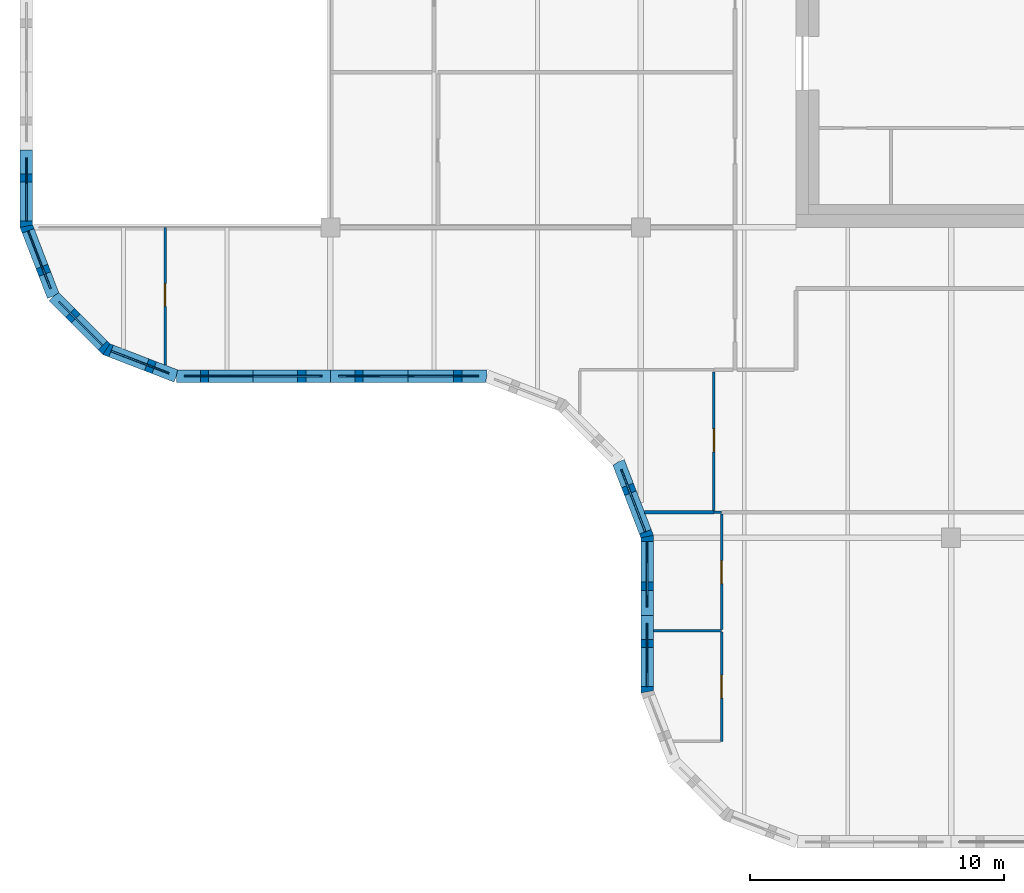
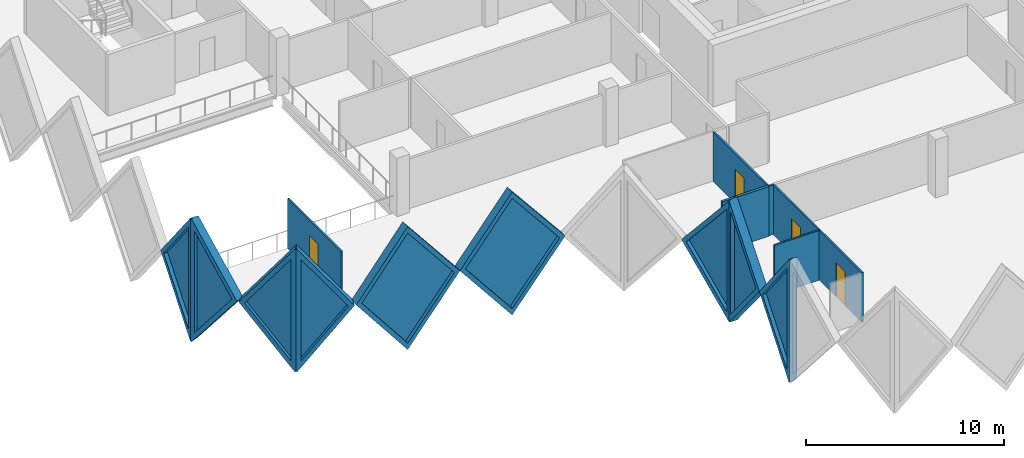
# One storey, part 3 of 12: 16 walls, 9 plates, 4 doors, 13 openings.
"""IFC4 building model written with IfcOpenShell, lengths in metres."""

from ifc_helpers import new_model, si_unit, direction, frame, frame_2d, origin, place, context, subcontext, project, spatial, polyline, rectangle, outline, extrude, faceted_brep, source, transform, mapped, material, layer, layer_set, type_object, element, fill, save


model = new_model("IFC4")

# Units and contexts
model_context = context("Model", 3, precision=1e-05, world=origin(), true_north=direction((0.0, 1.0)))
body_context = subcontext(model_context, "Body", "Model", "MODEL_VIEW")
ifc_project = project(units=[si_unit("LENGTHUNIT", "METRE"), si_unit("AREAUNIT", "SQUARE_METRE"), si_unit("VOLUMEUNIT", "CUBIC_METRE"), si_unit("PLANEANGLEUNIT", "RADIAN"), si_unit("MASSUNIT", "GRAM", prefix="KILO")], contexts=[model_context])

# Site, building, storey
site_placement = place(None, origin())
site = spatial("IfcSite", under=ifc_project, at=site_placement, CompositionType="ELEMENT")
building_placement = place(site_placement, origin())
building = spatial("IfcBuilding", under=site, at=building_placement, Name="Tessera Gate Towers", CompositionType="ELEMENT")
storey_placement = place(building_placement, frame((0.0, 0.0, 209.300048828125)))
storey = spatial("IfcBuildingStorey", under=building, at=storey_placement, Name="L52", CompositionType="ELEMENT", Elevation=209.300048828125)

# Wall, opening, door
ifc_material_1 = material(Name="Glass", Category="glass")
ifc_layer_1 = layer(ifc_material_1, 0.10009765625)
ifc_layer_set_1 = layer_set([ifc_layer_1], Name="GLAZED PARTITION 100")
wall_type_1 = type_object("IfcWallType", Name="GLAZED PARTITION 100", PredefinedType="PARTITIONING", material=ifc_layer_set_1)
wall_1_placement = place(storey_placement, frame((27.574951171875, 4.199951171875, 0.0), z_axis=(0.0, 0.0, 1.0), x_axis=(0.0, 1.0, 0.0)))
wall_1 = element("IfcWall", 1, at=wall_1_placement, inside=storey, type_object=wall_type_1, Name="T1-L52-PW-004", PredefinedType="PARTITIONING", context=body_context, shape_type="SweptSolid", body=[
    extrude(rectangle(XDim=4.296875, YDim=0.10009765625, at=frame_2d((2.1484375, 0.0))), origin(), (0.0, 0.0, 1.0), 3.06689453125),
])
shared_shape_1 = source(origin(), body_context, "Body", "SweptSolid", [
    extrude(rectangle(XDim=0.89990234375, YDim=2.10009765625, at=frame_2d((0.449951171875, 1.050048828125))), frame((0.0, 0.06005859375, 0.0), z_axis=(0.0, -1.0, 0.0), x_axis=(1.0, 0.0, 0.0)), (0.0, 0.0, 1.0), 0.1201171875),
])
opening_1_placement = place(wall_1_placement, frame((1.699951171875, 0.0, 0.0)))
opening_1 = element("IfcOpeningElement", 2, at=opening_1_placement, cuts=wall_1, Name="Opening D690-A19-05", PredefinedType="OPENING", context=body_context, shape_type="MappedRepresentation", body=[
    mapped(shared_shape_1, transform((0.0, 0.0, 0.0), scale=1.0)),
])
ifc_material_2 = material(Name="Glass in aluminium frame", Category="aluminium")
door_type = type_object("IfcDoorType", Name="GLAZED DOOR 900 NOT RATED", OperationType="NOTDEFINED", PredefinedType="DOOR", material=ifc_material_2)
shared_shape_2 = source(origin(), body_context, "Body", "SweptSolid", [
    extrude(rectangle(XDim=0.89990234375, YDim=2.10009765625, at=frame_2d((0.449951171875, 1.050048828125))), frame((0.0, 0.02490234375, 0.0), z_axis=(0.0, -1.0, 0.0), x_axis=(1.0, 0.0, 0.0)), (0.0, 0.0, 1.0), 0.050048828125),
])
door_1_placement = place(opening_1_placement, origin())
door_1 = element("IfcDoor", 3, at=door_1_placement, inside=storey, type_object=door_type, Name="T1-L52-PD-015", OperationType="SINGLE_SWING_LEFT", OverallHeight=2.10009765625, OverallWidth=0.89990234375, PredefinedType="DOOR", context=body_context, shape_type="MappedRepresentation", body=[
    mapped(shared_shape_2, transform((0.0, 0.0, 0.0), scale=1.0)),
])
fill(opening_1, door_1)

wall_2_placement = place(storey_placement, frame((27.574951171875, 8.598876953125, 0.0), z_axis=(0.0, 0.0, 1.0), x_axis=(0.0, 1.0, 0.0)))
wall_2 = element("IfcWall", 4, at=wall_2_placement, inside=storey, type_object=wall_type_1, Name="T1-L52-PW-009", PredefinedType="PARTITIONING", context=body_context, shape_type="SweptSolid", body=[
    extrude(rectangle(XDim=4.525146484375, YDim=0.10009765625, at=frame_2d((2.2626953125, 0.0))), origin(), (0.0, 0.0, 1.0), 3.06689453125),
])
opening_2_placement = place(wall_2_placement, frame((1.800048828125, 0.0, 0.0)))
opening_2 = element("IfcOpeningElement", 5, at=opening_2_placement, cuts=wall_2, Name="Opening D690-A19-01", PredefinedType="OPENING", context=body_context, shape_type="MappedRepresentation", body=[
    mapped(shared_shape_1, transform((0.0, 0.0, 0.0), scale=1.0)),
])
door_2_placement = place(opening_2_placement, origin())
door_2 = element("IfcDoor", 6, at=door_2_placement, inside=storey, type_object=door_type, Name="T1-L52-PD-003", OperationType="SINGLE_SWING_LEFT", OverallHeight=2.10009765625, OverallWidth=0.89990234375, PredefinedType="DOOR", context=body_context, shape_type="MappedRepresentation", body=[
    mapped(shared_shape_2, transform((0.0, 0.0, 0.0), scale=1.0)),
])
fill(opening_2, door_2)

# Wall
wall_3_placement = place(storey_placement, frame((27.27587890625, 13.199951171875, 0.0), z_axis=(0.0, 0.0, 1.0), x_axis=(1.0, 0.0, 0.0)))
element("IfcWall", 7, at=wall_3_placement, inside=storey, type_object=wall_type_1, Name="T1-L52-PW-014", PredefinedType="PARTITIONING", context=body_context, shape_type="SweptSolid", body=[
    extrude(rectangle(XDim=0.298095703125, YDim=0.10009765625, at=frame_2d((0.14892578125, 0.0))), origin(), (0.0, 0.0, 1.0), 3.06689453125),
])

# Wall, opening, door
wall_4_placement = place(storey_placement, frame((27.27490234375, 13.27587890625, 0.0), z_axis=(0.0, 0.0, 1.0), x_axis=(0.0, 1.0, 0.0)))
wall_4 = element("IfcWall", 8, at=wall_4_placement, inside=storey, type_object=wall_type_1, Name="T1-L52-PW-016", PredefinedType="PARTITIONING", context=body_context, shape_type="SweptSolid", body=[
    extrude(rectangle(XDim=5.4482421875, YDim=0.10009765625, at=frame_2d((2.72412109375, 0.0))), origin(), (0.0, 0.0, 1.0), 3.06689453125),
])
opening_3_placement = place(wall_4_placement, frame((2.300048828125, 0.0, 0.0)))
opening_3 = element("IfcOpeningElement", 9, at=opening_3_placement, cuts=wall_4, Name="Opening D690-A19-04", PredefinedType="OPENING", context=body_context, shape_type="MappedRepresentation", body=[
    mapped(shared_shape_1, transform((0.0, 0.0, 0.0), scale=1.0)),
])
door_3_placement = place(opening_3_placement, origin())
door_3 = element("IfcDoor", 10, at=door_3_placement, inside=storey, type_object=door_type, Name="T1-L52-PD-010", OperationType="SINGLE_SWING_LEFT", OverallHeight=2.10009765625, OverallWidth=0.89990234375, PredefinedType="DOOR", context=body_context, shape_type="MappedRepresentation", body=[
    mapped(shared_shape_2, transform((0.0, 0.0, 0.0), scale=1.0)),
])
fill(opening_3, door_3)

wall_5_placement = place(storey_placement, frame((5.699951171875, 18.990234375, 0.0), z_axis=(0.0, 0.0, 1.0), x_axis=(0.0, 1.0, 0.0)))
wall_5 = element("IfcWall", 11, at=wall_5_placement, inside=storey, type_object=wall_type_1, Name="T1-L52-PW-027", PredefinedType="PARTITIONING", context=body_context, shape_type="SweptSolid", body=[
    extrude(rectangle(XDim=5.40966796875, YDim=0.10009765625, at=frame_2d((2.704833984375, 0.0))), origin(), (0.0, 0.0, 1.0), 3.06689453125),
])
opening_4_placement = place(wall_5_placement, frame((2.300048828125, 0.0, 0.0)))
opening_4 = element("IfcOpeningElement", 12, at=opening_4_placement, cuts=wall_5, Name="Opening D690-A19-03", PredefinedType="OPENING", context=body_context, shape_type="MappedRepresentation", body=[
    mapped(shared_shape_1, transform((0.0, 0.0, 0.0), scale=1.0)),
])
door_4_placement = place(opening_4_placement, origin())
door_4 = element("IfcDoor", 13, at=door_4_placement, inside=storey, type_object=door_type, Name="T1-L52-PD-009", OperationType="SINGLE_SWING_LEFT", OverallHeight=2.10009765625, OverallWidth=0.89990234375, PredefinedType="DOOR", context=body_context, shape_type="MappedRepresentation", body=[
    mapped(shared_shape_2, transform((0.0, 0.0, 0.0), scale=1.0)),
])
fill(opening_4, door_4)

# Walls
ifc_material_3 = material(Name="Gypsum board on steel studs", Category="steel")
ifc_layer_2 = layer(ifc_material_3, 0.10009765625)
ifc_layer_set_2 = layer_set([ifc_layer_2], Name="PARTITION 100")
wall_type_2 = type_object("IfcWallType", Name="PARTITION 100", PredefinedType="PARTITIONING", material=ifc_layer_set_2)
wall_6_placement = place(storey_placement, frame((24.89990234375, 8.548095703125, 0.0), z_axis=(0.0, 0.0, 1.0), x_axis=(1.0, 0.0, 0.0)))
element("IfcWall", 14, at=wall_6_placement, inside=storey, type_object=wall_type_2, Name="T1-L52-PW-008", PredefinedType="PARTITIONING", context=body_context, shape_type="SweptSolid", body=[
    extrude(rectangle(XDim=2.675048828125, YDim=0.10009765625, at=frame_2d((1.33740234375, 0.0))), origin(), (0.0, 0.0, 1.0), 3.06689453125),
])
ifc_material_4 = material(Name="Gypsum board on steel studs, mineral wool", Category="steel")
ifc_layer_3 = layer(ifc_material_4, 0.14990234375)
ifc_layer_set_3 = layer_set([ifc_layer_3], Name="TENANCY WALL 150")
wall_type_3 = type_object("IfcWallType", Name="TENANCY WALL 150", PredefinedType="PARTITIONING", material=ifc_layer_set_3)
wall_7_placement = place(storey_placement, frame((24.55029296875, 13.199951171875, 0.0), z_axis=(0.0, 0.0, 1.0), x_axis=(1.0, 0.0, 0.0)))
element("IfcWall", 15, at=wall_7_placement, inside=storey, type_object=wall_type_3, Name="T1-L52-PW-013", PredefinedType="PARTITIONING", context=body_context, shape_type="SweptSolid", body=[
    extrude(rectangle(XDim=2.724609375, YDim=0.14990234375, at=frame_2d((1.3623046875, 0.0))), origin(), (0.0, 0.0, 1.0), 3.06689453125),
])

# Wall, opening, plate
ifc_material_5 = material(Name="Precast concrete C60/75 white", Category="concrete")
ifc_layer_4 = layer(ifc_material_5, 0.5)
ifc_layer_set_4 = layer_set([ifc_layer_4], Name="TS1 tessera")
wall_type_4 = type_object("IfcWallType", Name="TS1 tessera", PredefinedType="SOLIDWALL", material=ifc_layer_set_4)
shared_shape_3 = source(origin(), body_context, "Body", "Brep", [
    faceted_brep([(3.00341796875, -0.25, 0.0), (6.053466796875, -0.25, 3.800048828125), (3.00341796875, -0.25, 7.60009765625), (0.0, -0.25, 3.800048828125), (0.046630859375, 0.25, 3.85888671875), (3.00341796875, 0.25, 7.60009765625), (6.053466796875, 0.25, 3.800048828125), (3.00341796875, 0.25, 0.0), (0.046630859375, 0.25, 3.7412109375), (0.0, 0.0, 3.800048828125)], [[[0, 1, 2, 3]], [[4, 5, 6, 7, 8]], [[7, 6, 1, 0]], [[6, 5, 2, 1]], [[5, 4, 9, 3, 2]], [[8, 7, 0, 3, 9]], [[8, 9, 4]]]),
])
wall_8_placement = place(storey_placement, frame((6.146484375, 18.550048828125, -3.800048828125), z_axis=(0.0, 0.0, 1.0), x_axis=(1.0, 0.0, 0.0)))
wall_8 = element("IfcWall", 16, at=wall_8_placement, inside=storey, type_object=wall_type_4, Name="Precast tessera T1 TS1-0918", PredefinedType="SOLIDWALL", context=body_context, shape_type="MappedRepresentation", body=[
    mapped(shared_shape_3, transform((0.0, 0.0, 0.0), scale=1.0)),
])
shared_shape_4 = source(origin(), body_context, "Body", "SweptSolid", [
    extrude(outline(polyline([(3.0048828125, 0.4013671875), (5.73291015625, 3.800048828125), (3.0048828125, 7.19873046875), (0.318603515625, 3.800048828125), (3.0048828125, 0.4013671875)])), frame((0.0, 0.260009765625, 0.0), z_axis=(0.0, -1.0, 0.0), x_axis=(1.0, 0.0, 0.0)), (0.0, 0.0, 1.0), 0.52001953125),
])
opening_5_placement = place(wall_8_placement, origin())
opening_5 = element("IfcOpeningElement", 17, at=opening_5_placement, cuts=wall_8, Name="Opening T1-PL2-1870", PredefinedType="OPENING", context=body_context, shape_type="MappedRepresentation", body=[
    mapped(shared_shape_4, transform((0.0, 0.0, 0.0), scale=1.0)),
])
ifc_material_6 = material(Name="Low-e laminated glass", Category="glass")
ifc_layer_5 = layer(ifc_material_6, 0.06005859375)
ifc_layer_set_5 = layer_set([ifc_layer_5], Name="PL2 rhombic pane")
plate_type = type_object("IfcPlateType", Name="PL2 rhombic pane", PredefinedType="SHEET", material=ifc_layer_set_5)
shared_shape_5 = source(origin(), body_context, "Body", "SweptSolid", [
    extrude(outline(polyline([(3.0048828125, 0.4013671875), (5.73291015625, 3.800048828125), (3.0048828125, 7.19873046875), (0.318603515625, 3.800048828125), (3.0048828125, 0.4013671875)])), frame((0.0, 0.030029296875, 0.0), z_axis=(0.0, -1.0, 0.0), x_axis=(1.0, 0.0, 0.0)), (0.0, 0.0, 1.0), 0.06005859375),
])
plate_1_placement = place(opening_5_placement, origin())
plate_1 = element("IfcPlate", 18, at=plate_1_placement, inside=storey, type_object=plate_type, Name="Glass pane T1 PL2-1870", PredefinedType="SHEET", context=body_context, shape_type="MappedRepresentation", body=[
    mapped(shared_shape_5, transform((0.0, 0.0, 0.0), scale=1.0)),
])
fill(opening_5, plate_1)

ifc_material_7 = material(Name="Precast concrete C60/75 white", Category="concrete")
ifc_layer_6 = layer(ifc_material_7, 0.5)
ifc_layer_set_6 = layer_set([ifc_layer_6], Name="TS3 corner tessera")
wall_type_5 = type_object("IfcWallType", Name="TS3 corner tessera", PredefinedType="SOLIDWALL", material=ifc_layer_set_6)
shared_shape_6 = source(origin(), body_context, "Body", "Brep", [
    faceted_brep([(3.00341796875, -0.25, 0.0), (3.050048828125, -0.25, 0.06005859375), (3.050048828125, -0.25, 7.5400390625), (3.00341796875, -0.25, 7.60009765625), (0.0, -0.25, 3.800048828125), (0.0, 0.25, 3.800048828125), (2.956787109375, 0.25, 7.541259765625), (2.956787109375, 0.25, 0.058837890625), (3.00341796875, 0.000244140625, 0.0), (3.00341796875, 0.000244140625, 7.60009765625)], [[[0, 1, 2, 3, 4]], [[5, 6, 7]], [[1, 0, 8]], [[9, 3, 2]], [[6, 5, 4, 3, 9]], [[5, 7, 8, 0, 4]], [[1, 8, 7, 6, 9, 2]]]),
])
wall_9_placement = place(storey_placement, frame((0.25, 27.449951171875, -3.800048828125), z_axis=(0.0, 0.0, 1.0), x_axis=(0.0, -1.0, 0.0)))
wall_9 = element("IfcWall", 19, at=wall_9_placement, inside=storey, type_object=wall_type_5, Name="Precast corner tessera T1 TS3-1213", PredefinedType="SOLIDWALL", context=body_context, shape_type="MappedRepresentation", body=[
    mapped(shared_shape_6, transform((0.0, 0.0, 0.0), scale=1.0)),
])
shared_shape_7 = source(origin(), body_context, "Body", "SweptSolid", [
    extrude(outline(polyline([(2.803466796875, 6.94384765625), (0.318603515625, 3.800048828125), (2.803466796875, 0.65625), (2.803466796875, 6.94384765625)])), frame((0.0, 0.260009765625, 0.0), z_axis=(0.0, -1.0, 0.0), x_axis=(1.0, 0.0, 0.0)), (0.0, 0.0, 1.0), 0.52001953125),
])
opening_6_placement = place(wall_9_placement, origin())
opening_6 = element("IfcOpeningElement", 20, at=opening_6_placement, cuts=wall_9, Name="Opening T1-PL2-1866", PredefinedType="OPENING", context=body_context, shape_type="MappedRepresentation", body=[
    mapped(shared_shape_7, transform((0.0, 0.0, 0.0), scale=1.0)),
])
shared_shape_8 = source(origin(), body_context, "Body", "SweptSolid", [
    extrude(outline(polyline([(2.803466796875, 6.94384765625), (0.318603515625, 3.800048828125), (2.803466796875, 0.65625), (2.803466796875, 6.94384765625)])), frame((0.0, 0.030029296875, 0.0), z_axis=(0.0, -1.0, 0.0), x_axis=(1.0, 0.0, 0.0)), (0.0, 0.0, 1.0), 0.06005859375),
])
plate_2_placement = place(opening_6_placement, origin())
plate_2 = element("IfcPlate", 21, at=plate_2_placement, inside=storey, type_object=plate_type, Name="Glass pane T1 PL2-1866", PredefinedType="SHEET", context=body_context, shape_type="MappedRepresentation", body=[
    mapped(shared_shape_8, transform((0.0, 0.0, 0.0), scale=1.0)),
])
fill(opening_6, plate_2)

wall_10_placement = place(storey_placement, frame((24.64990234375, 9.14990234375, -3.800048828125), z_axis=(0.0, 0.0, 1.0), x_axis=(0.0, -1.0, 0.0)))
wall_10 = element("IfcWall", 22, at=wall_10_placement, inside=storey, type_object=wall_type_5, Name="Precast corner tessera T1 TS3-1221", PredefinedType="SOLIDWALL", context=body_context, shape_type="MappedRepresentation", body=[
    mapped(shared_shape_6, transform((0.0, 0.0, 0.0), scale=1.0)),
])
opening_7_placement = place(wall_10_placement, origin())
opening_7 = element("IfcOpeningElement", 23, at=opening_7_placement, cuts=wall_10, Name="Opening T1-PL2-1876", PredefinedType="OPENING", context=body_context, shape_type="MappedRepresentation", body=[
    mapped(shared_shape_7, transform((0.0, 0.0, 0.0), scale=1.0)),
])
plate_3_placement = place(opening_7_placement, origin())
plate_3 = element("IfcPlate", 24, at=plate_3_placement, inside=storey, type_object=plate_type, Name="Glass pane T1 PL2-1876", PredefinedType="SHEET", context=body_context, shape_type="MappedRepresentation", body=[
    mapped(shared_shape_8, transform((0.0, 0.0, 0.0), scale=1.0)),
])
fill(opening_7, plate_3)

shared_shape_9 = source(origin(), body_context, "Body", "Brep", [
    faceted_brep([(0.046630859375, -0.25, 0.0), (2.9970703125, -0.25, 3.800048828125), (0.046630859375, -0.25, 7.60009765625), (0.0, -0.25, 7.541259765625), (0.0, -0.25, 0.058837890625), (0.09326171875, 0.25, 7.5400390625), (2.9443359375, 0.25, 3.8681640625), (2.9443359375, 0.25, 3.73193359375), (0.09326171875, 0.25, 0.06005859375), (2.9970703125, 0.00048828125, 3.800048828125), (0.046630859375, 0.0, 0.0), (0.046630859375, 0.0, 7.60009765625)], [[[0, 1, 2, 3, 4]], [[5, 6, 7, 8]], [[8, 7, 9, 1, 0, 10]], [[6, 5, 11, 2, 1, 9]], [[3, 2, 11]], [[10, 0, 4]], [[8, 10, 4, 3, 11, 5]], [[9, 7, 6]]]),
])
wall_11_placement = place(storey_placement, frame((0.233154296875, 24.489990234375, -3.800048828125), z_axis=(0.0, 0.0, 1.0), x_axis=(0.359901446078, -0.932990326376, 0.0)))
wall_11 = element("IfcWall", 25, at=wall_11_placement, inside=storey, type_object=wall_type_5, Name="Precast corner tessera T1 TS3-1214", PredefinedType="SOLIDWALL", context=body_context, shape_type="MappedRepresentation", body=[
    mapped(shared_shape_9, transform((0.0, 0.0, 0.0), scale=1.0)),
])
shared_shape_10 = source(origin(), body_context, "Body", "SweptSolid", [
    extrude(outline(polyline([(0.24658203125, 0.665283203125), (2.6806640625, 3.800048828125), (0.24658203125, 6.934814453125), (0.24658203125, 0.665283203125)])), frame((0.0, 0.260009765625, 0.0), z_axis=(0.0, -1.0, 0.0), x_axis=(1.0, 0.0, 0.0)), (0.0, 0.0, 1.0), 0.52001953125),
])
opening_8_placement = place(wall_11_placement, origin())
opening_8 = element("IfcOpeningElement", 26, at=opening_8_placement, cuts=wall_11, Name="Opening T1-PL2-1867", PredefinedType="OPENING", context=body_context, shape_type="MappedRepresentation", body=[
    mapped(shared_shape_10, transform((0.0, 0.0, 0.0), scale=1.0)),
])
shared_shape_11 = source(origin(), body_context, "Body", "SweptSolid", [
    extrude(outline(polyline([(0.24658203125, 0.665283203125), (2.6806640625, 3.800048828125), (0.24658203125, 6.934814453125), (0.24658203125, 0.665283203125)])), frame((0.0, 0.030029296875, 0.0), z_axis=(0.0, -1.0, 0.0), x_axis=(1.0, 0.0, 0.0)), (0.0, 0.0, 1.0), 0.06005859375),
])
plate_4_placement = place(opening_8_placement, origin())
plate_4 = element("IfcPlate", 27, at=plate_4_placement, inside=storey, type_object=plate_type, Name="Glass pane T1 PL2-1867", PredefinedType="SHEET", context=body_context, shape_type="MappedRepresentation", body=[
    mapped(shared_shape_11, transform((0.0, 0.0, 0.0), scale=1.0)),
])
fill(opening_8, plate_4)

shared_shape_12 = source(origin(), body_context, "Body", "Brep", [
    faceted_brep([(0.052978515625, -0.25, 0.0), (3.00341796875, -0.25, 3.800048828125), (0.052978515625, -0.25, 7.60009765625), (0.0, -0.25, 7.53173828125), (0.0, -0.25, 0.068359375), (0.10595703125, 0.25, 7.531982421875), (2.95703125, 0.25, 3.85986328125), (2.95703125, 0.25, 3.740234375), (0.10595703125, 0.25, 0.068115234375), (3.00341796875, 0.00048828125, 3.800048828125), (0.052978515625, 0.0, 0.0), (0.052978515625, 0.0, 7.60009765625)], [[[0, 1, 2, 3, 4]], [[5, 6, 7, 8]], [[8, 7, 9, 1, 0, 10]], [[6, 5, 11, 2, 1, 9]], [[3, 2, 11]], [[10, 0, 4]], [[8, 10, 4, 3, 11, 5]], [[9, 7, 6]]]),
])
wall_12_placement = place(storey_placement, frame((3.34423828125, 19.630859375, -3.800048828125), z_axis=(0.0, 0.0, 1.0), x_axis=(0.933007896601, -0.359855894603, 0.0)))
wall_12 = element("IfcWall", 28, at=wall_12_placement, inside=storey, type_object=wall_type_5, Name="Precast corner tessera T1 TS3-1216", PredefinedType="SOLIDWALL", context=body_context, shape_type="MappedRepresentation", body=[
    mapped(shared_shape_12, transform((0.0, 0.0, 0.0), scale=1.0)),
])
shared_shape_13 = source(origin(), body_context, "Body", "SweptSolid", [
    extrude(outline(polyline([(0.2529296875, 0.665283203125), (2.68701171875, 3.800048828125), (0.2529296875, 6.934814453125), (0.2529296875, 0.665283203125)])), frame((0.0, 0.260009765625, 0.0), z_axis=(0.0, -1.0, 0.0), x_axis=(1.0, 0.0, 0.0)), (0.0, 0.0, 1.0), 0.52001953125),
])
opening_9_placement = place(wall_12_placement, origin())
opening_9 = element("IfcOpeningElement", 29, at=opening_9_placement, cuts=wall_12, Name="Opening T1-PL2-1869", PredefinedType="OPENING", context=body_context, shape_type="MappedRepresentation", body=[
    mapped(shared_shape_13, transform((0.0, 0.0, 0.0), scale=1.0)),
])
shared_shape_14 = source(origin(), body_context, "Body", "SweptSolid", [
    extrude(outline(polyline([(0.2529296875, 0.665283203125), (2.68701171875, 3.800048828125), (0.2529296875, 6.934814453125), (0.2529296875, 0.665283203125)])), frame((0.0, 0.030029296875, 0.0), z_axis=(0.0, -1.0, 0.0), x_axis=(1.0, 0.0, 0.0)), (0.0, 0.0, 1.0), 0.06005859375),
])
plate_5_placement = place(opening_9_placement, origin())
plate_5 = element("IfcPlate", 30, at=plate_5_placement, inside=storey, type_object=plate_type, Name="Glass pane T1 PL2-1869", PredefinedType="SHEET", context=body_context, shape_type="MappedRepresentation", body=[
    mapped(shared_shape_14, transform((0.0, 0.0, 0.0), scale=1.0)),
])
fill(opening_9, plate_5)

shared_shape_15 = source(origin(), body_context, "Body", "Brep", [
    faceted_brep([(2.944091796875, -0.25, 0.0), (2.9970703125, -0.25, 0.068115234375), (2.9970703125, -0.25, 7.531982421875), (2.944091796875, -0.25, 7.60009765625), (0.0, -0.25, 3.800048828125), (0.052978515625, 0.25, 3.868408203125), (2.89111328125, 0.25, 7.531982421875), (2.89111328125, 0.25, 0.068115234375), (0.052978515625, 0.25, 3.731689453125), (2.944091796875, 0.000244140625, 0.0), (2.944091796875, 0.000244140625, 7.60009765625), (0.0, 0.0, 3.800048828125)], [[[0, 1, 2, 3, 4]], [[5, 6, 7, 8]], [[1, 0, 9]], [[10, 3, 2]], [[6, 5, 11, 4, 3, 10]], [[8, 7, 9, 0, 4, 11]], [[8, 11, 5]], [[1, 9, 7, 6, 10, 2]]]),
])
wall_13_placement = place(storey_placement, frame((1.31201171875, 21.69384765625, -3.800048828125), z_axis=(0.0, 0.0, 1.0), x_axis=(0.707066050402, -0.707147509625, 0.0)))
wall_13 = element("IfcWall", 31, at=wall_13_placement, inside=storey, type_object=wall_type_5, Name="Precast corner tessera T1 TS3-1215", PredefinedType="SOLIDWALL", context=body_context, shape_type="MappedRepresentation", body=[
    mapped(shared_shape_15, transform((0.0, 0.0, 0.0), scale=1.0)),
])
shared_shape_16 = source(origin(), body_context, "Body", "SweptSolid", [
    extrude(outline(polyline([(2.744140625, 6.93359375), (0.316162109375, 3.800048828125), (2.744140625, 0.666259765625), (2.744140625, 6.93359375)])), frame((0.0, 0.260009765625, 0.0), z_axis=(0.0, -1.0, 0.0), x_axis=(1.0, 0.0, 0.0)), (0.0, 0.0, 1.0), 0.52001953125),
])
opening_10_placement = place(wall_13_placement, origin())
opening_10 = element("IfcOpeningElement", 32, at=opening_10_placement, cuts=wall_13, Name="Opening T1-PL2-1868", PredefinedType="OPENING", context=body_context, shape_type="MappedRepresentation", body=[
    mapped(shared_shape_16, transform((0.0, 0.0, 0.0), scale=1.0)),
])
shared_shape_17 = source(origin(), body_context, "Body", "SweptSolid", [
    extrude(outline(polyline([(2.744140625, 6.93359375), (0.316162109375, 3.800048828125), (2.744140625, 0.666259765625), (2.744140625, 6.93359375)])), frame((0.0, 0.030029296875, 0.0), z_axis=(0.0, -1.0, 0.0), x_axis=(1.0, 0.0, 0.0)), (0.0, 0.0, 1.0), 0.06005859375),
])
plate_6_placement = place(opening_10_placement, origin())
plate_6 = element("IfcPlate", 33, at=plate_6_placement, inside=storey, type_object=plate_type, Name="Glass pane T1 PL2-1868", PredefinedType="SHEET", context=body_context, shape_type="MappedRepresentation", body=[
    mapped(shared_shape_17, transform((0.0, 0.0, 0.0), scale=1.0)),
])
fill(opening_10, plate_6)

shared_shape_18 = source(origin(), body_context, "Body", "Brep", [
    faceted_brep([(3.050048828125, -0.25, 0.0), (6.10009765625, -0.25, 3.742919921875), (6.10009765625, -0.25, 3.857177734375), (3.050048828125, -0.25, 7.60009765625), (0.0, -0.25, 3.800048828125), (0.0, 0.25, 3.800048828125), (3.050048828125, 0.25, 7.60009765625), (6.146484375, 0.25, 3.800048828125), (3.050048828125, 0.25, 0.0), (6.146484375, -0.000244140625, 3.800048828125)], [[[0, 1, 2, 3, 4]], [[5, 6, 7, 8]], [[8, 7, 9, 1, 0]], [[7, 6, 3, 2, 9]], [[6, 5, 4, 3]], [[5, 8, 0, 4]], [[1, 9, 2]]]),
])
wall_14_placement = place(storey_placement, frame((12.199951171875, 18.550048828125, -3.800048828125), z_axis=(0.0, 0.0, 1.0), x_axis=(1.0, 0.0, 0.0)))
wall_14 = element("IfcWall", 34, at=wall_14_placement, inside=storey, type_object=wall_type_4, Name="Precast tessera T1 TS1-0919", PredefinedType="SOLIDWALL", context=body_context, shape_type="MappedRepresentation", body=[
    mapped(shared_shape_18, transform((0.0, 0.0, 0.0), scale=1.0)),
])
shared_shape_19 = source(origin(), body_context, "Body", "SweptSolid", [
    extrude(outline(polyline([(3.051513671875, 0.3974609375), (5.823974609375, 3.800048828125), (3.051513671875, 7.202392578125), (0.320556640625, 3.800048828125), (3.051513671875, 0.3974609375)])), frame((0.0, 0.260009765625, 0.0), z_axis=(0.0, -1.0, 0.0), x_axis=(1.0, 0.0, 0.0)), (0.0, 0.0, 1.0), 0.52001953125),
])
opening_11_placement = place(wall_14_placement, origin())
opening_11 = element("IfcOpeningElement", 35, at=opening_11_placement, cuts=wall_14, Name="Opening T1-PL2-1871", PredefinedType="OPENING", context=body_context, shape_type="MappedRepresentation", body=[
    mapped(shared_shape_19, transform((0.0, 0.0, 0.0), scale=1.0)),
])
shared_shape_20 = source(origin(), body_context, "Body", "SweptSolid", [
    extrude(outline(polyline([(3.051513671875, 0.3974609375), (5.823974609375, 3.800048828125), (3.051513671875, 7.202392578125), (0.320556640625, 3.800048828125), (3.051513671875, 0.3974609375)])), frame((0.0, 0.030029296875, 0.0), z_axis=(0.0, -1.0, 0.0), x_axis=(1.0, 0.0, 0.0)), (0.0, 0.0, 1.0), 0.06005859375),
])
plate_7_placement = place(opening_11_placement, origin())
plate_7 = element("IfcPlate", 36, at=plate_7_placement, inside=storey, type_object=plate_type, Name="Glass pane T1 PL2-1871", PredefinedType="SHEET", context=body_context, shape_type="MappedRepresentation", body=[
    mapped(shared_shape_20, transform((0.0, 0.0, 0.0), scale=1.0)),
])
fill(opening_11, plate_7)

shared_shape_21 = source(origin(), body_context, "Body", "Brep", [
    faceted_brep([(3.10302734375, -0.25, 7.5439453125), (0.052978515625, -0.25, 3.864013671875), (0.052978515625, -0.25, 3.736083984375), (3.10302734375, -0.25, 0.05615234375), (0.0, 0.25, 3.800048828125), (3.1494140625, 0.25, 7.60009765625), (3.196044921875, 0.25, 7.54296875), (3.196044921875, 0.25, 0.05712890625), (3.1494140625, 0.25, 0.0), (3.1494140625, -0.000244140625, 0.0), (3.1494140625, -0.000244140625, 7.60009765625), (0.0, 0.0, 3.800048828125)], [[[0, 1, 2, 3]], [[4, 5, 6, 7, 8]], [[8, 7, 9]], [[6, 5, 10]], [[5, 4, 11, 1, 0, 10]], [[4, 8, 9, 3, 2, 11]], [[11, 2, 1]], [[3, 9, 7, 6, 10, 0]]]),
])
wall_15_placement = place(storey_placement, frame((23.5166015625, 15.18505859375, -3.800048828125), z_axis=(0.0, 0.0, 1.0), x_axis=(0.359864468756, -0.933004589553, 0.0)))
wall_15 = element("IfcWall", 37, at=wall_15_placement, inside=storey, type_object=wall_type_5, Name="Precast corner tessera T1 TS3-1219", PredefinedType="SOLIDWALL", context=body_context, shape_type="MappedRepresentation", body=[
    mapped(shared_shape_21, transform((0.0, 0.0, 0.0), scale=1.0)),
])
shared_shape_22 = source(origin(), body_context, "Body", "SweptSolid", [
    extrude(outline(polyline([(2.949462890625, 6.966796875), (0.32470703125, 3.800048828125), (2.949462890625, 0.633056640625), (2.949462890625, 6.966796875)])), frame((0.0, 0.260009765625, 0.0), z_axis=(0.0, -1.0, 0.0), x_axis=(1.0, 0.0, 0.0)), (0.0, 0.0, 1.0), 0.52001953125),
])
opening_12_placement = place(wall_15_placement, origin())
opening_12 = element("IfcOpeningElement", 38, at=opening_12_placement, cuts=wall_15, Name="Opening T1-PL2-1874", PredefinedType="OPENING", context=body_context, shape_type="MappedRepresentation", body=[
    mapped(shared_shape_22, transform((0.0, 0.0, 0.0), scale=1.0)),
])
shared_shape_23 = source(origin(), body_context, "Body", "SweptSolid", [
    extrude(outline(polyline([(2.949462890625, 6.966796875), (0.32470703125, 3.800048828125), (2.949462890625, 0.633056640625), (2.949462890625, 6.966796875)])), frame((0.0, 0.030029296875, 0.0), z_axis=(0.0, -1.0, 0.0), x_axis=(1.0, 0.0, 0.0)), (0.0, 0.0, 1.0), 0.06005859375),
])
plate_8_placement = place(opening_12_placement, origin())
plate_8 = element("IfcPlate", 39, at=plate_8_placement, inside=storey, type_object=plate_type, Name="Glass pane T1 PL2-1874", PredefinedType="SHEET", context=body_context, shape_type="MappedRepresentation", body=[
    mapped(shared_shape_23, transform((0.0, 0.0, 0.0), scale=1.0)),
])
fill(opening_12, plate_8)

shared_shape_24 = source(origin(), body_context, "Body", "Brep", [
    faceted_brep([(0.09326171875, -0.25, 0.05712890625), (3.14306640625, -0.25, 3.800048828125), (0.09326171875, -0.25, 7.54296875), (0.0, 0.25, 7.5439453125), (0.046630859375, 0.25, 7.60009765625), (3.14306640625, 0.25, 3.800048828125), (0.046630859375, 0.25, 0.0), (0.0, 0.25, 0.05615234375), (0.046630859375, 0.0, 0.0), (0.046630859375, 0.0, 7.60009765625)], [[[0, 1, 2]], [[3, 4, 5, 6, 7]], [[6, 5, 1, 0, 8]], [[5, 4, 9, 2, 1]], [[4, 3, 9]], [[7, 6, 8]], [[7, 8, 0, 2, 9, 3]]]),
])
wall_16_placement = place(storey_placement, frame((24.64990234375, 12.293212890625, -3.800048828125), z_axis=(0.0, 0.0, 1.0), x_axis=(0.0, -1.0, 0.0)))
wall_16 = element("IfcWall", 40, at=wall_16_placement, inside=storey, type_object=wall_type_5, Name="Precast corner tessera T1 TS3-1220", PredefinedType="SOLIDWALL", context=body_context, shape_type="MappedRepresentation", body=[
    mapped(shared_shape_24, transform((0.0, 0.0, 0.0), scale=1.0)),
])
shared_shape_25 = source(origin(), body_context, "Body", "SweptSolid", [
    extrude(outline(polyline([(0.24658203125, 0.64111328125), (2.82080078125, 3.800048828125), (0.24658203125, 6.958740234375), (0.24658203125, 0.64111328125)])), frame((0.0, 0.260009765625, 0.0), z_axis=(0.0, -1.0, 0.0), x_axis=(1.0, 0.0, 0.0)), (0.0, 0.0, 1.0), 0.52001953125),
])
opening_13_placement = place(wall_16_placement, origin())
opening_13 = element("IfcOpeningElement", 41, at=opening_13_placement, cuts=wall_16, Name="Opening T1-PL2-1875", PredefinedType="OPENING", context=body_context, shape_type="MappedRepresentation", body=[
    mapped(shared_shape_25, transform((0.0, 0.0, 0.0), scale=1.0)),
])
shared_shape_26 = source(origin(), body_context, "Body", "SweptSolid", [
    extrude(outline(polyline([(0.24658203125, 0.64111328125), (2.82080078125, 3.800048828125), (0.24658203125, 6.958740234375), (0.24658203125, 0.64111328125)])), frame((0.0, 0.030029296875, 0.0), z_axis=(0.0, -1.0, 0.0), x_axis=(1.0, 0.0, 0.0)), (0.0, 0.0, 1.0), 0.06005859375),
])
plate_9_placement = place(opening_13_placement, origin())
plate_9 = element("IfcPlate", 42, at=plate_9_placement, inside=storey, type_object=plate_type, Name="Glass pane T1 PL2-1875", PredefinedType="SHEET", context=body_context, shape_type="MappedRepresentation", body=[
    mapped(shared_shape_26, transform((0.0, 0.0, 0.0), scale=1.0)),
])
fill(opening_13, plate_9)

save(model, "model.ifc")
